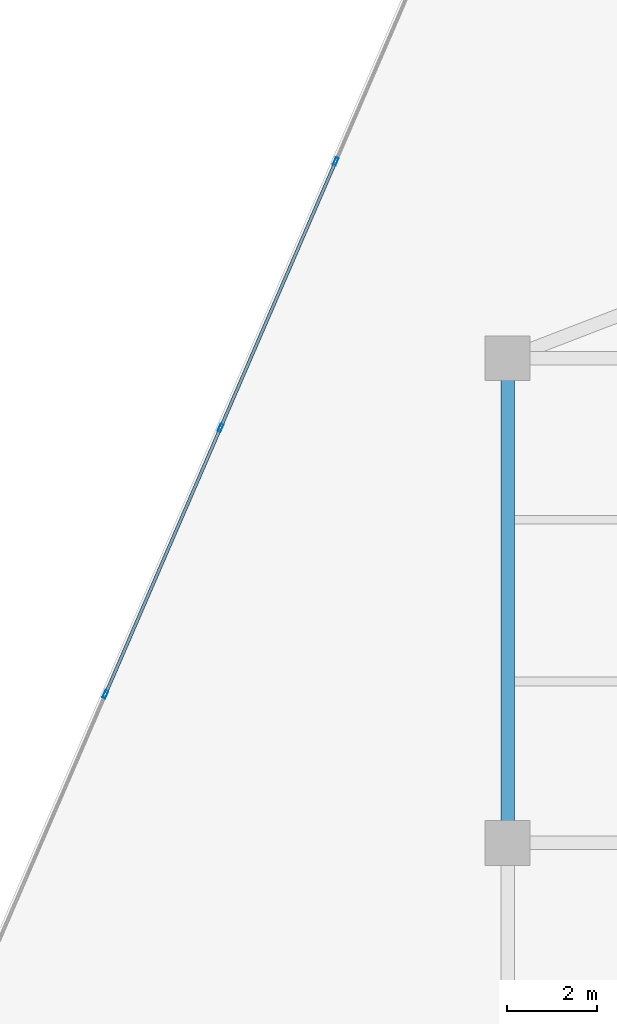
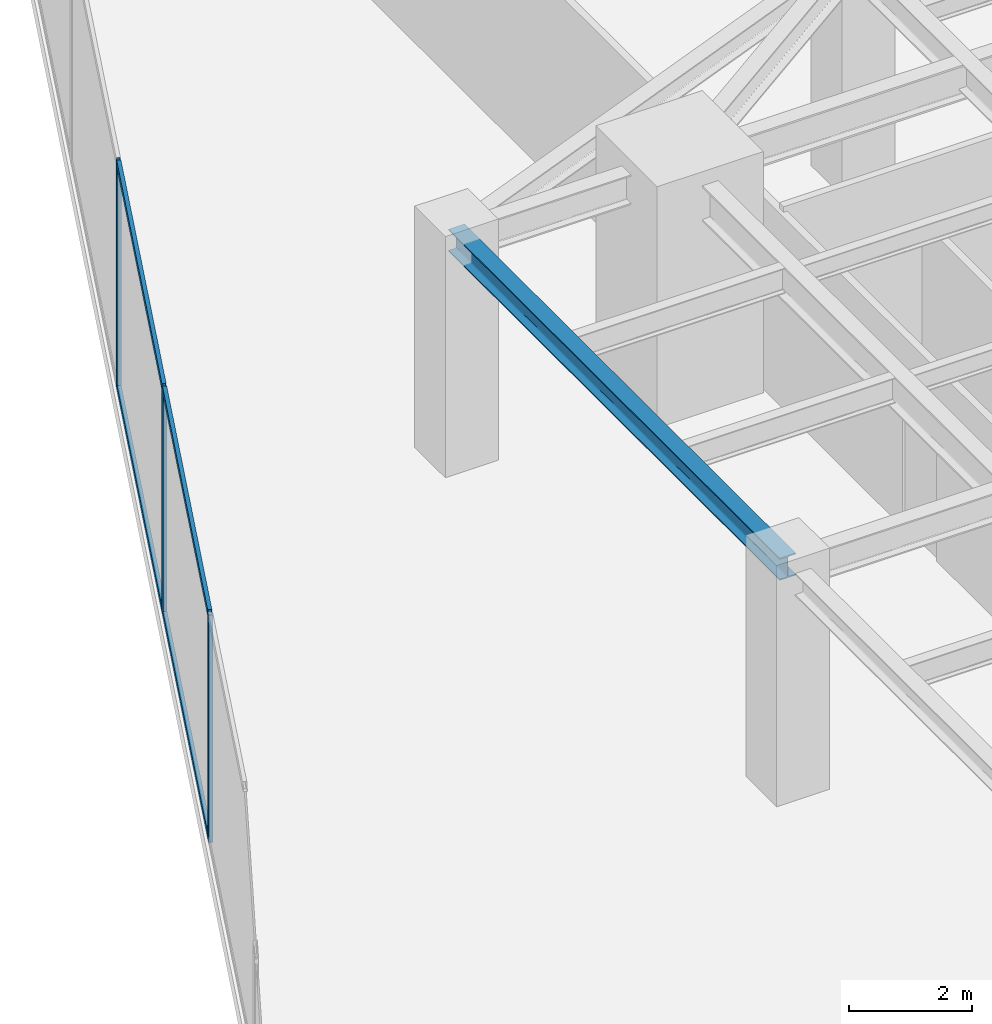
# One storey, part 12 of 24: 7 members, 1 beam, 1 element without a shape of its own.
"""IFC4 building model written with IfcOpenShell, lengths in metres."""

from ifc_helpers import new_model, si_unit, direction, frame, origin, origin_2d, place, context, subcontext, project, spatial, hollow_rectangle, i_section, extrude, source, transform, mapped, material, material_profile, profile_set, type_object, type_shapes, element, aggregate, save


model = new_model("IFC4")

# Units and contexts
model_context = context("Model", 3, precision=1e-05, world=origin(), true_north=direction((0.0, 1.0)))
body_context = subcontext(model_context, "Body", "Model", "MODEL_VIEW")
ifc_project = project(units=[si_unit("LENGTHUNIT", "METRE"), si_unit("AREAUNIT", "SQUARE_METRE"), si_unit("VOLUMEUNIT", "CUBIC_METRE"), si_unit("PLANEANGLEUNIT", "RADIAN"), si_unit("MASSUNIT", "GRAM", prefix="KILO")], contexts=[model_context])

# Site, building, storey
site_placement = place(None, origin())
site = spatial("IfcSite", under=ifc_project, at=site_placement, CompositionType="ELEMENT")
building_placement = place(site_placement, origin())
building = spatial("IfcBuilding", under=site, at=building_placement, Name="Krantzveldt Concourse Tower", CompositionType="ELEMENT")
storey_placement = place(building_placement, frame((0.0, 0.0, 141.39990234375)))
storey = spatial("IfcBuildingStorey", under=building, at=storey_placement, Name="L34", CompositionType="ELEMENT", Elevation=141.39990234375)

# Beam
ifc_material_1 = material(Name="Steel S355JR", Category="steel")
ifc_material_profile_1 = material_profile(ifc_material_1, i_section(OverallWidth=0.300048828125, OverallDepth=0.43994140625, WebThickness=0.011474609375, FlangeThickness=0.02099609375, FilletRadius=0.027099609375, at=origin_2d()), Name="Steel S355JR", Category="steel")
ifc_profile_set_1 = profile_set([ifc_material_profile_1], Name="Steel S355JR - HEA 450")
beam_type = type_object("IfcBeamType", Name="BM-SP-HEA450", PredefinedType="SPANDREL", material=ifc_profile_set_1)
shared_shape_1 = source(origin(), body_context, "Body", "SweptSolid", [
    extrude(i_section(OverallWidth=0.300048828125, OverallDepth=0.43994140625, WebThickness=0.011474609375, FlangeThickness=0.02099609375, FilletRadius=0.027099609375, at=origin_2d()), origin(), (0.0, 0.0, 1.0), 10.800048828125),
])
type_shapes(beam_type, [shared_shape_1])
beam_placement = place(storey_placement, frame((21.0, 26.699951171875, 4.300048828125), z_axis=(0.0, 1.0, 0.0), x_axis=(-1.0, 0.0, 0.0)))
element("IfcBeam", 1, at=beam_placement, inside=storey, type_object=beam_type, Name="L34 Tower Girder SP-R02", PredefinedType="SPANDREL", context=body_context, shape_type="MappedRepresentation", body=[
    mapped(shared_shape_1, transform((0.0, 0.0, 0.0), x_axis=(1.0, 0.0, 0.0), y_axis=(0.0, 1.0, 0.0), z_axis=(0.0, 0.0, 1.0), scale=1.0)),
])

# Curtain wall, members
ifc_material_2 = material(Name="Anodised aluminium 6063-T6", Category="aluminium")
curtain_wall_type = type_object("IfcCurtainWallType", Name="CW5", PredefinedType="USERDEFINED", material=ifc_material_2)
curtain_wall_placement = place(storey_placement, origin())
curtain_wall = element("IfcCurtainWall", 2, at=curtain_wall_placement, inside=storey, type_object=curtain_wall_type, Name="CW-L34-F01", ObjectType="UNITISED CURTAIN WALL", PredefinedType="USERDEFINED")
ifc_material_profile_2 = material_profile(ifc_material_2, hollow_rectangle(XDim=0.070068359375, YDim=0.139892578125, WallThickness=0.0048828125, at=origin_2d()), Name="Anodised aluminium 6063-T6", Category="aluminium")
ifc_profile_set_2 = profile_set([ifc_material_profile_2], Name="Anodised aluminium 6063-T6 - ALU-TRAN 140x70x5")
member_type_1 = type_object("IfcMemberType", Name="CW-TRN-150", PredefinedType="USERDEFINED", material=ifc_profile_set_2)
shared_shape_2 = source(origin(), body_context, "Body", "SweptSolid", [
    extrude(hollow_rectangle(XDim=0.070068359375, YDim=0.139892578125, WallThickness=0.0048828125, at=origin_2d()), origin(), (0.0, 0.0, 1.0), 6.396728515625),
])
member_1_placement = place(storey_placement, frame((17.15478515625, 41.85205078125, 0.03515625), z_axis=(-0.396736471998, -0.917932552961, 0.0), x_axis=(0.917932552961, -0.396736471998, 0.0)))
member_1 = element("IfcMember", 3, at=member_1_placement, type_object=member_type_1, Name="CW-SKY transom 3.1", ObjectType="TRANSOM", PredefinedType="USERDEFINED", context=body_context, shape_type="MappedRepresentation", body=[
    mapped(shared_shape_2, transform((0.0, 0.0, 0.0), x_axis=(1.0, 0.0, 0.0), y_axis=(0.0, 1.0, 0.0), z_axis=(0.0, 0.0, 1.0), scale=1.0)),
])
member_2_placement = place(storey_placement, frame((17.15478515625, 41.85205078125, 4.485107421875), z_axis=(-0.396736471998, -0.917932552961, 0.0), x_axis=(0.917932552961, -0.396736471998, 0.0)))
member_2 = element("IfcMember", 4, at=member_2_placement, type_object=member_type_1, Name="CW-SKY transom 3.2", ObjectType="TRANSOM", PredefinedType="USERDEFINED", context=body_context, shape_type="MappedRepresentation", body=[
    mapped(shared_shape_2, transform((0.0, 0.0, 0.0), x_axis=(1.0, 0.0, 0.0), y_axis=(0.0, 1.0, 0.0), z_axis=(0.0, 0.0, 1.0), scale=1.0)),
])
shared_shape_3 = source(origin(), body_context, "Body", "SweptSolid", [
    extrude(hollow_rectangle(XDim=0.070068359375, YDim=0.139892578125, WallThickness=0.0048828125, at=origin_2d()), origin(), (0.0, 0.0, 1.0), 6.396484375),
])
type_shapes(member_type_1, [shared_shape_2, shared_shape_3])
member_3_placement = place(storey_placement, frame((14.589111328125, 35.916015625, 0.03515625), z_axis=(-0.396750371663, -0.91792654531, 0.0), x_axis=(0.91792654531, -0.396750371663, 0.0)))
member_3 = element("IfcMember", 5, at=member_3_placement, type_object=member_type_1, Name="CW-SKY transom 4.1", ObjectType="TRANSOM", PredefinedType="USERDEFINED", context=body_context, shape_type="MappedRepresentation", body=[
    mapped(shared_shape_3, transform((0.0, 0.0, 0.0), x_axis=(1.0, 0.0, 0.0), y_axis=(0.0, 1.0, 0.0), z_axis=(0.0, 0.0, 1.0), scale=1.0)),
])
member_4_placement = place(storey_placement, frame((14.589111328125, 35.916015625, 4.485107421875), z_axis=(-0.396750371663, -0.91792654531, 0.0), x_axis=(0.91792654531, -0.396750371663, 0.0)))
member_4 = element("IfcMember", 6, at=member_4_placement, type_object=member_type_1, Name="CW-SKY transom 4.2", ObjectType="TRANSOM", PredefinedType="USERDEFINED", context=body_context, shape_type="MappedRepresentation", body=[
    mapped(shared_shape_3, transform((0.0, 0.0, 0.0), x_axis=(1.0, 0.0, 0.0), y_axis=(0.0, 1.0, 0.0), z_axis=(0.0, 0.0, 1.0), scale=1.0)),
])
ifc_material_profile_3 = material_profile(ifc_material_2, hollow_rectangle(XDim=0.070068359375, YDim=0.179931640625, WallThickness=0.0048828125, at=origin_2d()), Name="Anodised aluminium 6063-T6", Category="aluminium")
ifc_profile_set_3 = profile_set([ifc_material_profile_3], Name="Anodised aluminium 6063-T6 - ALU-MULL 180x70x5")
member_type_2 = type_object("IfcMemberType", Name="CW-MUL-180", PredefinedType="MULLION", material=ifc_profile_set_3)
shared_shape_4 = source(origin(), body_context, "Body", "SweptSolid", [
    extrude(hollow_rectangle(XDim=0.070068359375, YDim=0.179931640625, WallThickness=0.0048828125, at=origin_2d()), origin(), (0.0, 0.0, 1.0), 4.52001953125),
])
type_shapes(member_type_2, [shared_shape_4])
member_5_placement = place(storey_placement, frame((17.168701171875, 41.884033203125, 0.0), z_axis=(0.0, 0.0, 1.0), x_axis=(0.917927822306, -0.396747417177, 0.0)))
member_5 = element("IfcMember", 7, at=member_5_placement, type_object=member_type_2, Name="CW-SKY mullion 3", PredefinedType="MULLION", context=body_context, shape_type="MappedRepresentation", body=[
    mapped(shared_shape_4, transform((0.0, 0.0, 0.0), x_axis=(1.0, 0.0, 0.0), y_axis=(0.0, 1.0, 0.0), z_axis=(0.0, 0.0, 1.0), scale=1.0)),
])
member_6_placement = place(storey_placement, frame((14.60302734375, 35.9482421875, 0.0), z_axis=(0.0, 0.0, 1.0), x_axis=(0.917927822306, -0.396747417177, 0.0)))
member_6 = element("IfcMember", 8, at=member_6_placement, type_object=member_type_2, Name="CW-SKY mullion 4", PredefinedType="MULLION", context=body_context, shape_type="MappedRepresentation", body=[
    mapped(shared_shape_4, transform((0.0, 0.0, 0.0), x_axis=(1.0, 0.0, 0.0), y_axis=(0.0, 1.0, 0.0), z_axis=(0.0, 0.0, 1.0), scale=1.0)),
])
member_7_placement = place(storey_placement, frame((12.037353515625, 30.01220703125, 0.0), z_axis=(0.0, 0.0, 1.0), x_axis=(0.917927822306, -0.396747417177, 0.0)))
member_7 = element("IfcMember", 9, at=member_7_placement, type_object=member_type_2, Name="CW-SKY mullion 5", PredefinedType="MULLION", context=body_context, shape_type="MappedRepresentation", body=[
    mapped(shared_shape_4, transform((0.0, 0.0, 0.0), x_axis=(1.0, 0.0, 0.0), y_axis=(0.0, 1.0, 0.0), z_axis=(0.0, 0.0, 1.0), scale=1.0)),
])
aggregate(curtain_wall, [member_5, member_6, member_7, member_1, member_2, member_3, member_4])

save(model, "model.ifc")
